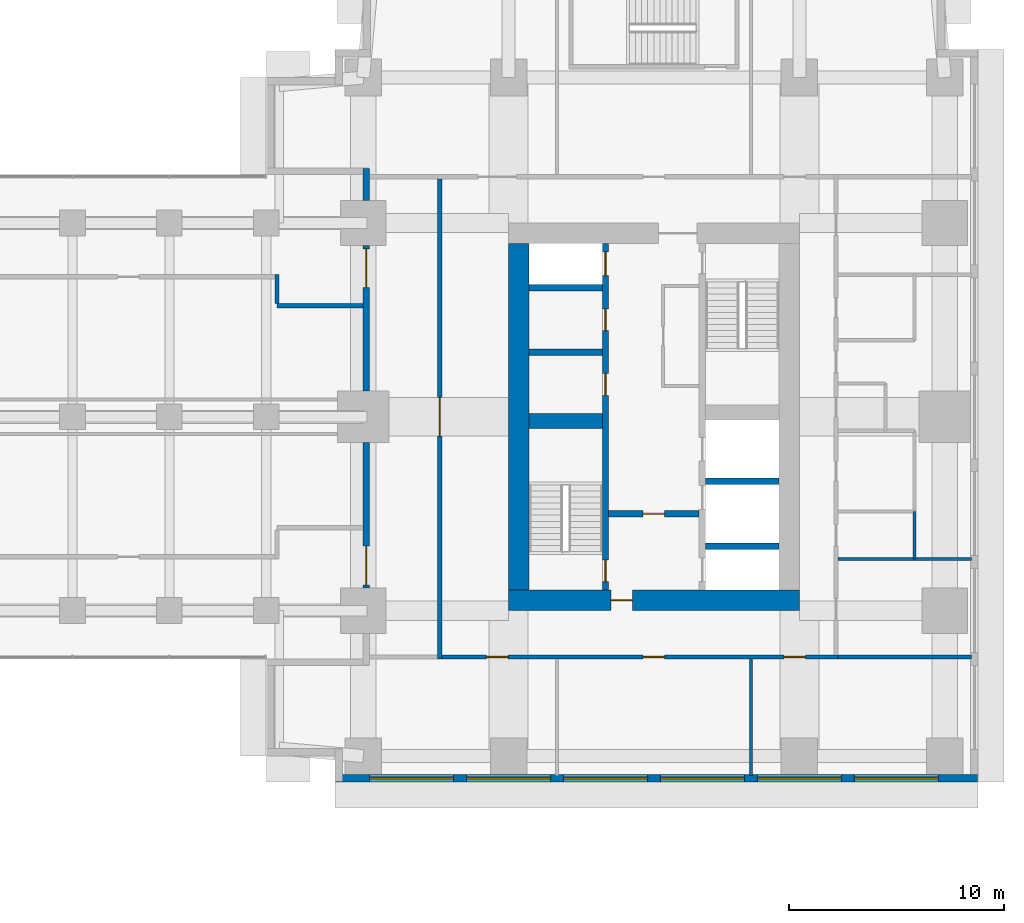
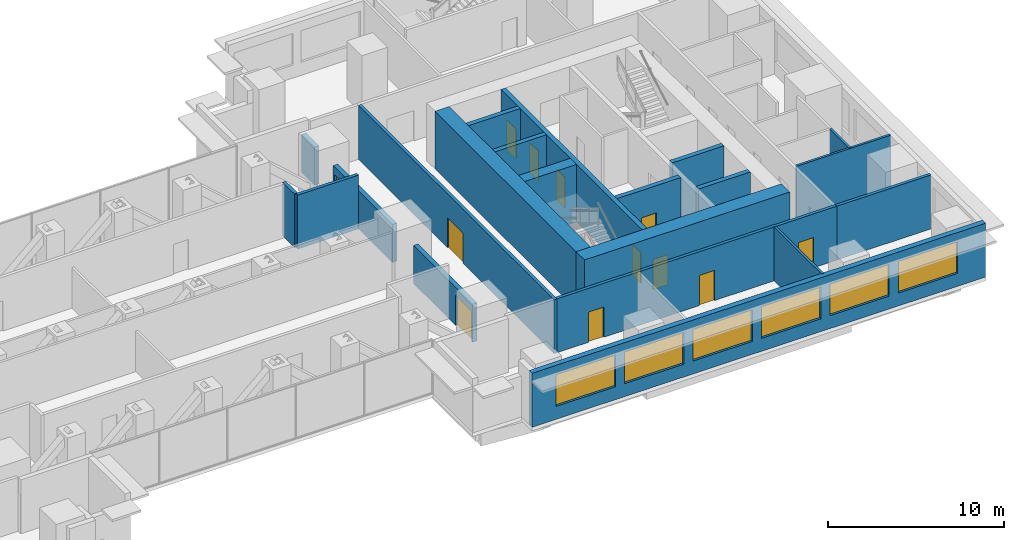
# One storey, part 10 of 16: 21 walls, 12 doors, 6 windows, 18 openings.
"""IFC4 building model written with IfcOpenShell, lengths in metres."""

from ifc_helpers import new_model, si_unit, direction, frame, frame_2d, origin, place, context, subcontext, project, spatial, rectangle, extrude, material, layer, layer_set, type_object, element, fill, save


model = new_model("IFC4")

# Units and contexts
model_context = context("Model", 3, precision=1e-05, world=origin(), true_north=direction((0.0, 1.0)))
body_context = subcontext(model_context, "Body", "Model", "MODEL_VIEW")
ifc_project = project(units=[si_unit("LENGTHUNIT", "METRE"), si_unit("AREAUNIT", "SQUARE_METRE"), si_unit("VOLUMEUNIT", "CUBIC_METRE"), si_unit("PLANEANGLEUNIT", "RADIAN"), si_unit("MASSUNIT", "GRAM", prefix="KILO")], contexts=[model_context])

# Site, building, storey
site_placement = place(None, origin())
site = spatial("IfcSite", under=ifc_project, at=site_placement, CompositionType="ELEMENT")
building_placement = place(site_placement, origin())
building = spatial("IfcBuilding", under=site, at=building_placement, Name="Namib Vertical Campus", CompositionType="ELEMENT")
storey_placement = place(building_placement, frame((0.0, 0.0, 117.0)))
storey = spatial("IfcBuildingStorey", under=building, at=storey_placement, Name="L27", CompositionType="ELEMENT", Elevation=117.0)

# Wall, openings, doors
ifc_material_1 = material(Name="Concrete C60/75", Category="concrete")
ifc_layer_1 = layer(ifc_material_1, 0.300048828125)
ifc_layer_set_1 = layer_set([ifc_layer_1], Name="Concrete C60/75")
wall_type_1 = type_object("IfcWallType", Name="Core inner wall 300", PredefinedType="SHEAR", material=ifc_layer_set_1)
wall_1_placement = place(storey_placement, frame((78.75, 12.199951171875, 0.0), z_axis=(0.0, 0.0, 1.0), x_axis=(0.0, 1.0, 0.0)))
wall_1 = element("IfcWall", 1, at=wall_1_placement, inside=storey, type_object=wall_type_1, Name="Core inner wall B L27 W1", PredefinedType="SHEAR", context=body_context, shape_type="SweptSolid", body=[
    extrude(rectangle(XDim=16.10009765625, YDim=0.300048828125, at=frame_2d((8.050048828125, 0.0))), origin(), (0.0, 0.0, 1.0), 4.0),
])
opening_1_placement = place(wall_1_placement, frame((0.39990234375, 0.0, 0.0)))
opening_1 = element("IfcOpeningElement", 2, at=opening_1_placement, cuts=wall_1, Name="Opening FD1", PredefinedType="OPENING", context=body_context, shape_type="SweptSolid", body=[
    extrude(rectangle(XDim=1.0, YDim=2.10009765625, at=frame_2d((0.5, 1.050048828125))), frame((0.0, 0.159912109375, 0.0), z_axis=(0.0, -1.0, 0.0), x_axis=(1.0, 0.0, 0.0)), (0.0, 0.0, 1.0), 0.320068359375),
])
opening_2_placement = place(wall_1_placement, frame((14.60009765625, 0.0, 0.0)))
opening_2 = element("IfcOpeningElement", 3, at=opening_2_placement, cuts=wall_1, Name="Opening LD1", PredefinedType="OPENING", context=body_context, shape_type="SweptSolid", body=[
    extrude(rectangle(XDim=1.10009765625, YDim=2.10009765625, at=frame_2d((0.550048828125, 1.050048828125))), frame((0.0, 0.159912109375, 0.0), z_axis=(0.0, -1.0, 0.0), x_axis=(1.0, 0.0, 0.0)), (0.0, 0.0, 1.0), 0.320068359375),
])
opening_3_placement = place(wall_1_placement, frame((9.050048828125, 0.0, 0.0)))
opening_3 = element("IfcOpeningElement", 4, at=opening_3_placement, cuts=wall_1, Name="Opening D1", PredefinedType="OPENING", context=body_context, shape_type="SweptSolid", body=[
    extrude(rectangle(XDim=1.0, YDim=2.10009765625, at=frame_2d((0.5, 1.050048828125))), frame((0.0, 0.159912109375, 0.0), z_axis=(0.0, -1.0, 0.0), x_axis=(1.0, 0.0, 0.0)), (0.0, 0.0, 1.0), 0.320068359375),
])
opening_4_placement = place(wall_1_placement, frame((12.050048828125, 0.0, 0.0)))
opening_4 = element("IfcOpeningElement", 5, at=opening_4_placement, cuts=wall_1, Name="Opening D1", PredefinedType="OPENING", context=body_context, shape_type="SweptSolid", body=[
    extrude(rectangle(XDim=1.0, YDim=2.10009765625, at=frame_2d((0.5, 1.050048828125))), frame((0.0, 0.159912109375, 0.0), z_axis=(0.0, -1.0, 0.0), x_axis=(1.0, 0.0, 0.0)), (0.0, 0.0, 1.0), 0.320068359375),
])
ifc_material_2 = material(Name="Timber door leaf", Category="wood")
door_type_1 = type_object("IfcDoorType", Name="Door single 1000x2100", OperationType="SINGLE_SWING_LEFT", PredefinedType="DOOR", material=ifc_material_2)
door_1_placement = place(opening_3_placement, origin())
door_1 = element("IfcDoor", 6, at=door_1_placement, inside=storey, type_object=door_type_1, Name="Door D1 Store B L27 P1", OperationType="SINGLE_SWING_LEFT", OverallHeight=2.10009765625, OverallWidth=1.0, PredefinedType="DOOR", context=body_context, shape_type="SweptSolid", body=[
    extrude(rectangle(XDim=1.0, YDim=2.10009765625, at=frame_2d((0.5, 1.050048828125))), frame((0.0, 0.02490234375, 0.0), z_axis=(0.0, -1.0, 0.0), x_axis=(1.0, 0.0, 0.0)), (0.0, 0.0, 1.0), 0.050048828125),
])
fill(opening_3, door_1)
door_2_placement = place(opening_4_placement, origin())
door_2 = element("IfcDoor", 7, at=door_2_placement, inside=storey, type_object=door_type_1, Name="Door D1 Comms room B L27 P2", OperationType="SINGLE_SWING_LEFT", OverallHeight=2.10009765625, OverallWidth=1.0, PredefinedType="DOOR", context=body_context, shape_type="SweptSolid", body=[
    extrude(rectangle(XDim=1.0, YDim=2.10009765625, at=frame_2d((0.5, 1.050048828125))), frame((0.0, 0.02490234375, 0.0), z_axis=(0.0, -1.0, 0.0), x_axis=(1.0, 0.0, 0.0)), (0.0, 0.0, 1.0), 0.050048828125),
])
fill(opening_4, door_2)
ifc_material_3 = material(Name="Steel fire door", Category="steel")
door_type_2 = type_object("IfcDoorType", Name="Fire door 1000x2100", OperationType="SINGLE_SWING_RIGHT", PredefinedType="DOOR", material=ifc_material_3)
door_3_placement = place(opening_1_placement, origin())
door_3 = element("IfcDoor", 8, at=door_3_placement, inside=storey, type_object=door_type_2, Name="Stair door FD1 B L27 S1", OperationType="SINGLE_SWING_LEFT", OverallHeight=2.10009765625, OverallWidth=1.0, PredefinedType="DOOR", context=body_context, shape_type="SweptSolid", body=[
    extrude(rectangle(XDim=1.0, YDim=2.10009765625, at=frame_2d((0.5, 1.050048828125))), frame((0.0, 0.02490234375, 0.0), z_axis=(0.0, -1.0, 0.0), x_axis=(1.0, 0.0, 0.0)), (0.0, 0.0, 1.0), 0.050048828125),
])
fill(opening_1, door_3)
ifc_material_4 = material(Name="Stainless steel lift door", Category="steel")
door_type_3 = type_object("IfcDoorType", Name="Lift landing door 1100x2100", OperationType="DOUBLE_DOOR_SLIDING", PredefinedType="DOOR", material=ifc_material_4)
door_4_placement = place(opening_2_placement, origin())
door_4 = element("IfcDoor", 9, at=door_4_placement, inside=storey, type_object=door_type_3, Name="Lift landing door LD1 B-P3 L27", OperationType="DOUBLE_DOOR_SLIDING", OverallHeight=2.10009765625, OverallWidth=1.10009765625, PredefinedType="DOOR", context=body_context, shape_type="SweptSolid", body=[
    extrude(rectangle(XDim=1.10009765625, YDim=2.10009765625, at=frame_2d((0.550048828125, 1.050048828125))), frame((0.0, 0.02490234375, 0.0), z_axis=(0.0, -1.0, 0.0), x_axis=(1.0, 0.0, 0.0)), (0.0, 0.0, 1.0), 0.050048828125),
])
fill(opening_2, door_4)

# Wall, opening, door
wall_2_placement = place(storey_placement, frame((78.89990234375, 15.75, 0.0), z_axis=(0.0, 0.0, 1.0), x_axis=(1.0, 0.0, 0.0)))
wall_2 = element("IfcWall", 10, at=wall_2_placement, inside=storey, type_object=wall_type_1, Name="Core inner wall B L27 W4", PredefinedType="SHEAR", context=body_context, shape_type="SweptSolid", body=[
    extrude(rectangle(XDim=4.2001953125, YDim=0.300048828125, at=frame_2d((2.10009765625, 0.0))), origin(), (0.0, 0.0, 1.0), 4.0),
])
opening_5_placement = place(wall_2_placement, frame((1.60009765625, 0.0, 0.0)))
opening_5 = element("IfcOpeningElement", 11, at=opening_5_placement, cuts=wall_2, Name="Opening FD5", PredefinedType="OPENING", context=body_context, shape_type="SweptSolid", body=[
    extrude(rectangle(XDim=1.0, YDim=2.10009765625, at=frame_2d((0.5, 1.050048828125))), frame((0.0, 0.159912109375, 0.0), z_axis=(0.0, -1.0, 0.0), x_axis=(1.0, 0.0, 0.0)), (0.0, 0.0, 1.0), 0.320068359375),
])
ifc_material_5 = material(Name="Steel fire door", Category="steel")
door_type_4 = type_object("IfcDoorType", Name="Fire door 1000x2100 120 min", OperationType="SINGLE_SWING_RIGHT", PredefinedType="DOOR", material=ifc_material_5)
door_5_placement = place(opening_5_placement, frame((1.0, 0.0, 0.0), z_axis=(0.0, 0.0, 1.0), x_axis=(-1.0, 0.0, 0.0)))
door_5 = element("IfcDoor", 12, at=door_5_placement, inside=storey, type_object=door_type_4, Name="Lobby door FD5 B L27", OperationType="SINGLE_SWING_RIGHT", OverallHeight=2.10009765625, OverallWidth=1.0, PredefinedType="DOOR", context=body_context, shape_type="SweptSolid", body=[
    extrude(rectangle(XDim=1.0, YDim=2.10009765625, at=frame_2d((0.5, 1.050048828125))), frame((0.0, 0.02490234375, 0.0), z_axis=(0.0, -1.0, 0.0), x_axis=(1.0, 0.0, 0.0)), (0.0, 0.0, 1.0), 0.050048828125),
])
fill(opening_5, door_5)

# Walls
for number, where, z_axis, x_axis, name in (
    (13, (83.39990234375, 14.25, 0.0), (0.0, 0.0, 1.0), (1.0, 0.0, 0.0), "Core inner wall B L27 W5"),
    (14, (83.39990234375, 17.25, 0.0), (0.0, 0.0, 1.0), (1.0, 0.0, 0.0), "Core inner wall B L27 W6"),
    (15, (75.199951171875, 23.25, 0.0), (0.0, 0.0, 1.0), (1.0, 0.0, 0.0), "Core inner wall B L27 W8"),
    (16, (75.199951171875, 26.25, 0.0), (0.0, 0.0, 1.0), (1.0, 0.0, 0.0), "Core inner wall B L27 W9"),
):
    element("IfcWall", number, at=place(storey_placement, frame(where, z_axis=z_axis, x_axis=x_axis)), inside=storey, type_object=wall_type_1, Name=name, PredefinedType="SHEAR", context=body_context, shape_type="SweptSolid", body=[
        extrude(rectangle(XDim=3.400146484375, YDim=0.300048828125, at=frame_2d((1.7001953125, 0.0))), origin(), (0.0, 0.0, 1.0), 4.0),
    ])
ifc_material_6 = material(Name="Concrete C60/75", Category="concrete")
ifc_layer_2 = layer(ifc_material_6, 0.699951171875)
ifc_layer_set_2 = layer_set([ifc_layer_2], Name="Concrete C60/75")
wall_type_2 = type_object("IfcWallType", Name="Core shear wall 700", PredefinedType="SHEAR", material=ifc_layer_set_2)
wall_3_placement = place(storey_placement, frame((75.199951171875, 20.050048828125, 0.0), z_axis=(0.0, 0.0, 1.0), x_axis=(1.0, 0.0, 0.0)))
element("IfcWall", 17, at=wall_3_placement, inside=storey, type_object=wall_type_2, Name="Core shear wall B L27 W3", PredefinedType="SHEAR", context=body_context, shape_type="SweptSolid", body=[
    extrude(rectangle(XDim=3.400146484375, YDim=0.699951171875, at=frame_2d((1.7001953125, 0.0))), origin(), (0.0, 0.0, 1.0), 4.0),
])

# Wall, opening, door
ifc_material_7 = material(Name="Concrete C60/75", Category="concrete")
ifc_layer_3 = layer(ifc_material_7, 0.949951171875)
ifc_layer_set_3 = layer_set([ifc_layer_3], Name="Concrete C60/75")
wall_type_3 = type_object("IfcWallType", Name="Core wall 950", PredefinedType="SHEAR", material=ifc_layer_set_3)
wall_4_placement = place(storey_placement, frame((74.25, 11.72509765625, 0.0), z_axis=(0.0, 0.0, 1.0), x_axis=(1.0, 0.0, 0.0)))
wall_4 = element("IfcWall", 18, at=wall_4_placement, inside=storey, type_object=wall_type_3, Name="Core wall B L27 1", PredefinedType="SHEAR", context=body_context, shape_type="SweptSolid", body=[
    extrude(rectangle(XDim=13.5, YDim=0.949951171875, at=frame_2d((6.75, 0.0))), origin(), (0.0, 0.0, 1.0), 4.0),
])
opening_6_placement = place(wall_4_placement, frame((4.75, 0.0, 0.0)))
opening_6 = element("IfcOpeningElement", 19, at=opening_6_placement, cuts=wall_4, Name="Opening FD5", PredefinedType="OPENING", context=body_context, shape_type="SweptSolid", body=[
    extrude(rectangle(XDim=1.0, YDim=2.10009765625, at=frame_2d((0.5, 1.050048828125))), frame((0.0, 0.48486328125, 0.0), z_axis=(0.0, -1.0, 0.0), x_axis=(1.0, 0.0, 0.0)), (0.0, 0.0, 1.0), 0.969970703125),
])
door_6_placement = place(opening_6_placement, origin())
door_6 = element("IfcDoor", 20, at=door_6_placement, inside=storey, type_object=door_type_4, Name="Firefighting lobby door FD5 B L27", OperationType="SINGLE_SWING_LEFT", OverallHeight=2.10009765625, OverallWidth=1.0, PredefinedType="DOOR", context=body_context, shape_type="SweptSolid", body=[
    extrude(rectangle(XDim=1.0, YDim=2.10009765625, at=frame_2d((0.5, 1.050048828125))), frame((0.0, 0.02490234375, 0.0), z_axis=(0.0, -1.0, 0.0), x_axis=(1.0, 0.0, 0.0)), (0.0, 0.0, 1.0), 0.050048828125),
])
fill(opening_6, door_6)

# Wall
wall_5_placement = place(storey_placement, frame((74.72509765625, 28.300048828125, 0.0), z_axis=(0.0, 0.0, 1.0), x_axis=(0.0, -1.0, 0.0)))
element("IfcWall", 21, at=wall_5_placement, inside=storey, type_object=wall_type_3, Name="Core wall B L27 4", PredefinedType="SHEAR", context=body_context, shape_type="SweptSolid", body=[
    extrude(rectangle(XDim=16.10009765625, YDim=0.949951171875, at=frame_2d((8.050048828125, 0.0))), origin(), (0.0, 0.0, 1.0), 4.0),
])

# Wall, openings, doors
ifc_material_8 = material(Name="Concrete masonry", Category="masonry")
ifc_layer_4 = layer(ifc_material_8, 0.199951171875)
ifc_layer_set_4 = layer_set([ifc_layer_4], Name="Corridor wall 200")
wall_type_4 = type_object("IfcWallType", Name="Corridor wall 200", PredefinedType="SOLIDWALL", material=ifc_layer_set_4)
wall_6_placement = place(storey_placement, frame((71.14990234375, 9.10009765625, 0.0), z_axis=(0.0, 0.0, 1.0), x_axis=(1.0, 0.0, 0.0)))
wall_6 = element("IfcWall", 22, at=wall_6_placement, inside=storey, type_object=wall_type_4, Name="Corridor wall B L27 CS", PredefinedType="SOLIDWALL", context=body_context, shape_type="SweptSolid", body=[
    extrude(rectangle(XDim=18.400146484375, YDim=0.199951171875, at=frame_2d((9.2001953125, 0.0))), origin(), (0.0, 0.0, 1.0), 3.75),
])
opening_7_placement = place(wall_6_placement, frame((2.074951171875, 0.0, 0.0)))
opening_7 = element("IfcOpeningElement", 23, at=opening_7_placement, cuts=wall_6, Name="Opening CD1", PredefinedType="OPENING", context=body_context, shape_type="SweptSolid", body=[
    extrude(rectangle(XDim=1.0, YDim=2.10009765625, at=frame_2d((0.5, 1.050048828125))), frame((0.0, 0.10986328125, 0.0), z_axis=(0.0, -1.0, 0.0), x_axis=(1.0, 0.0, 0.0)), (0.0, 0.0, 1.0), 0.219970703125),
])
opening_8_placement = place(wall_6_placement, frame((9.35009765625, 0.0, 0.0)))
opening_8 = element("IfcOpeningElement", 24, at=opening_8_placement, cuts=wall_6, Name="Opening CD1", PredefinedType="OPENING", context=body_context, shape_type="SweptSolid", body=[
    extrude(rectangle(XDim=1.0, YDim=2.10009765625, at=frame_2d((0.5, 1.050048828125))), frame((0.0, 0.10986328125, 0.0), z_axis=(0.0, -1.0, 0.0), x_axis=(1.0, 0.0, 0.0)), (0.0, 0.0, 1.0), 0.219970703125),
])
opening_9_placement = place(wall_6_placement, frame((15.875, 0.0, 0.0)))
opening_9 = element("IfcOpeningElement", 25, at=opening_9_placement, cuts=wall_6, Name="Opening CD1", PredefinedType="OPENING", context=body_context, shape_type="SweptSolid", body=[
    extrude(rectangle(XDim=1.0, YDim=2.10009765625, at=frame_2d((0.5, 1.050048828125))), frame((0.0, 0.10986328125, 0.0), z_axis=(0.0, -1.0, 0.0), x_axis=(1.0, 0.0, 0.0)), (0.0, 0.0, 1.0), 0.219970703125),
])
ifc_material_9 = material(Name="Timber fire door leaf", Category="wood")
door_type_5 = type_object("IfcDoorType", Name="Corridor door 1000x2100 20 min", OperationType="SINGLE_SWING_LEFT", PredefinedType="DOOR", material=ifc_material_9)
door_7_placement = place(opening_7_placement, frame((1.0, 0.0, 0.0), z_axis=(0.0, 0.0, 1.0), x_axis=(-1.0, 0.0, 0.0)))
door_7 = element("IfcDoor", 26, at=door_7_placement, inside=storey, type_object=door_type_5, Name="Door CD1 B27-01", OperationType="SINGLE_SWING_LEFT", OverallHeight=2.10009765625, OverallWidth=1.0, PredefinedType="DOOR", context=body_context, shape_type="SweptSolid", body=[
    extrude(rectangle(XDim=1.0, YDim=2.10009765625, at=frame_2d((0.5, 1.050048828125))), frame((0.0, 0.02490234375, 0.0), z_axis=(0.0, -1.0, 0.0), x_axis=(1.0, 0.0, 0.0)), (0.0, 0.0, 1.0), 0.050048828125),
])
fill(opening_7, door_7)
door_8_placement = place(opening_8_placement, frame((1.0, 0.0, 0.0), z_axis=(0.0, 0.0, 1.0), x_axis=(-1.0, 0.0, 0.0)))
door_8 = element("IfcDoor", 27, at=door_8_placement, inside=storey, type_object=door_type_5, Name="Door CD1 B27-02", OperationType="SINGLE_SWING_RIGHT", OverallHeight=2.10009765625, OverallWidth=1.0, PredefinedType="DOOR", context=body_context, shape_type="SweptSolid", body=[
    extrude(rectangle(XDim=1.0, YDim=2.10009765625, at=frame_2d((0.5, 1.050048828125))), frame((0.0, 0.02490234375, 0.0), z_axis=(0.0, -1.0, 0.0), x_axis=(1.0, 0.0, 0.0)), (0.0, 0.0, 1.0), 0.050048828125),
])
fill(opening_8, door_8)
door_9_placement = place(opening_9_placement, frame((1.0, 0.0, 0.0), z_axis=(0.0, 0.0, 1.0), x_axis=(-1.0, 0.0, 0.0)))
door_9 = element("IfcDoor", 28, at=door_9_placement, inside=storey, type_object=door_type_5, Name="Door CD1 B27-03", OperationType="SINGLE_SWING_RIGHT", OverallHeight=2.10009765625, OverallWidth=1.0, PredefinedType="DOOR", context=body_context, shape_type="SweptSolid", body=[
    extrude(rectangle(XDim=1.0, YDim=2.10009765625, at=frame_2d((0.5, 1.050048828125))), frame((0.0, 0.02490234375, 0.0), z_axis=(0.0, -1.0, 0.0), x_axis=(1.0, 0.0, 0.0)), (0.0, 0.0, 1.0), 0.050048828125),
])
fill(opening_9, door_9)

# Wall, opening, door
wall_7_placement = place(storey_placement, frame((71.050048828125, 31.300048828125, 0.0), z_axis=(0.0, 0.0, 1.0), x_axis=(0.0, -1.0, 0.0)))
wall_7 = element("IfcWall", 29, at=wall_7_placement, inside=storey, type_object=wall_type_4, Name="Corridor wall B L27 CW", PredefinedType="SOLIDWALL", context=body_context, shape_type="SweptSolid", body=[
    extrude(rectangle(XDim=22.300048828125, YDim=0.199951171875, at=frame_2d((11.14990234375, 0.0))), origin(), (0.0, 0.0, 1.0), 3.75),
])
opening_10_placement = place(wall_7_placement, frame((10.14990234375, 0.0, 0.0)))
opening_10 = element("IfcOpeningElement", 30, at=opening_10_placement, cuts=wall_7, Name="Opening FD2", PredefinedType="OPENING", context=body_context, shape_type="SweptSolid", body=[
    extrude(rectangle(XDim=1.800048828125, YDim=2.10009765625, at=frame_2d((0.89990234375, 1.050048828125))), frame((0.0, 0.10986328125, 0.0), z_axis=(0.0, -1.0, 0.0), x_axis=(1.0, 0.0, 0.0)), (0.0, 0.0, 1.0), 0.219970703125),
])
ifc_material_10 = material(Name="Steel fire door", Category="steel")
door_type_6 = type_object("IfcDoorType", Name="Fire door double 1800x2100", OperationType="DOUBLE_DOOR_SINGLE_SWING", PredefinedType="DOOR", material=ifc_material_10)
door_10_placement = place(opening_10_placement, origin())
door_10 = element("IfcDoor", 31, at=door_10_placement, inside=storey, type_object=door_type_6, Name="Door FD2 B27-14", OperationType="DOUBLE_DOOR_SINGLE_SWING", OverallHeight=2.10009765625, OverallWidth=1.800048828125, PredefinedType="DOOR", context=body_context, shape_type="SweptSolid", body=[
    extrude(rectangle(XDim=1.800048828125, YDim=2.10009765625, at=frame_2d((0.89990234375, 1.050048828125))), frame((0.0, 0.02490234375, 0.0), z_axis=(0.0, -1.0, 0.0), x_axis=(1.0, 0.0, 0.0)), (0.0, 0.0, 1.0), 0.050048828125),
])
fill(opening_10, door_10)

# Walls
wall_8_placement = place(storey_placement, frame((89.550048828125, 9.10009765625, 0.0), z_axis=(0.0, 0.0, 1.0), x_axis=(1.0, 0.0, 0.0)))
element("IfcWall", 32, at=wall_8_placement, inside=storey, type_object=wall_type_4, Name="Partition B L27 BSE", PredefinedType="SOLIDWALL", context=body_context, shape_type="SweptSolid", body=[
    extrude(rectangle(XDim=6.199951171875, YDim=0.199951171875, at=frame_2d((3.10009765625, 0.0))), origin(), (0.0, 0.0, 1.0), 3.75),
])
wall_9_placement = place(storey_placement, frame((63.5, 25.39990234375, 0.0), z_axis=(0.0, 0.0, 1.0), x_axis=(1.0, 0.0, 0.0)))
element("IfcWall", 33, at=wall_9_placement, inside=storey, type_object=wall_type_4, Name="Lobby wall L27 NE", PredefinedType="SOLIDWALL", context=body_context, shape_type="SweptSolid", body=[
    extrude(rectangle(XDim=4.0, YDim=0.199951171875, at=frame_2d((2.0, 0.0))), origin(), (0.0, 0.0, 1.0), 3.75),
])
wall_10_placement = place(storey_placement, frame((63.5, 26.85009765625, 0.0), z_axis=(0.0, 0.0, 1.0), x_axis=(0.0, -1.0, 0.0)))
element("IfcWall", 34, at=wall_10_placement, inside=storey, type_object=wall_type_4, Name="Lobby side wall L27 NE", PredefinedType="SOLIDWALL", context=body_context, shape_type="SweptSolid", body=[
    extrude(rectangle(XDim=1.35009765625, YDim=0.199951171875, at=frame_2d((0.675048828125, 0.0))), origin(), (0.0, 0.0, 1.0), 3.75),
])

# Wall, openings, windows
ifc_material_11 = material(Name="Concrete C40/50", Category="concrete")
ifc_layer_5 = layer(ifc_material_11, 0.35009765625)
ifc_layer_set_5 = layer_set([ifc_layer_5], Name="Concrete C40/50")
wall_type_5 = type_object("IfcWallType", Name="External wall 350 bush-hammered concrete", PredefinedType="STANDARD", material=ifc_layer_set_5)
wall_11_placement = place(storey_placement, frame((66.219970703125, 3.47509765625, 0.0), z_axis=(0.0, 0.0, 1.0), x_axis=(1.0, 0.0, 0.0)))
wall_11 = element("IfcWall", 35, at=wall_11_placement, inside=storey, type_object=wall_type_5, Name="External wall L27 F04", PredefinedType="STANDARD", context=body_context, shape_type="SweptSolid", body=[
    extrude(rectangle(XDim=29.81005859375, YDim=0.35009765625, at=frame_2d((14.905029296875, 0.0))), origin(), (0.0, 0.0, 1.0), 3.75),
])
opening_11_placement = place(wall_11_placement, frame((1.580078125, 0.0, 0.89990234375)))
opening_11 = element("IfcOpeningElement", 36, at=opening_11_placement, cuts=wall_11, Name="Opening W1", PredefinedType="OPENING", context=body_context, shape_type="SweptSolid", body=[
    extrude(rectangle(XDim=3.89990234375, YDim=2.199951171875, at=frame_2d((1.949951171875, 1.10009765625))), frame((0.0, 0.18505859375, 0.0), z_axis=(0.0, -1.0, 0.0), x_axis=(1.0, 0.0, 0.0)), (0.0, 0.0, 1.0), 0.3701171875),
])
opening_12_placement = place(wall_11_placement, frame((6.080078125, 0.0, 0.89990234375)))
opening_12 = element("IfcOpeningElement", 37, at=opening_12_placement, cuts=wall_11, Name="Opening W1", PredefinedType="OPENING", context=body_context, shape_type="SweptSolid", body=[
    extrude(rectangle(XDim=3.89990234375, YDim=2.199951171875, at=frame_2d((1.949951171875, 1.10009765625))), frame((0.0, 0.18505859375, 0.0), z_axis=(0.0, -1.0, 0.0), x_axis=(1.0, 0.0, 0.0)), (0.0, 0.0, 1.0), 0.3701171875),
])
opening_13_placement = place(wall_11_placement, frame((10.580078125, 0.0, 0.89990234375)))
opening_13 = element("IfcOpeningElement", 38, at=opening_13_placement, cuts=wall_11, Name="Opening W1", PredefinedType="OPENING", context=body_context, shape_type="SweptSolid", body=[
    extrude(rectangle(XDim=3.89990234375, YDim=2.199951171875, at=frame_2d((1.949951171875, 1.10009765625))), frame((0.0, 0.18505859375, 0.0), z_axis=(0.0, -1.0, 0.0), x_axis=(1.0, 0.0, 0.0)), (0.0, 0.0, 1.0), 0.3701171875),
])
opening_14_placement = place(wall_11_placement, frame((15.080078125, 0.0, 0.89990234375)))
opening_14 = element("IfcOpeningElement", 39, at=opening_14_placement, cuts=wall_11, Name="Opening W1", PredefinedType="OPENING", context=body_context, shape_type="SweptSolid", body=[
    extrude(rectangle(XDim=3.89990234375, YDim=2.199951171875, at=frame_2d((1.949951171875, 1.10009765625))), frame((0.0, 0.18505859375, 0.0), z_axis=(0.0, -1.0, 0.0), x_axis=(1.0, 0.0, 0.0)), (0.0, 0.0, 1.0), 0.3701171875),
])
opening_15_placement = place(wall_11_placement, frame((19.580078125, 0.0, 0.89990234375)))
opening_15 = element("IfcOpeningElement", 40, at=opening_15_placement, cuts=wall_11, Name="Opening W1", PredefinedType="OPENING", context=body_context, shape_type="SweptSolid", body=[
    extrude(rectangle(XDim=3.89990234375, YDim=2.199951171875, at=frame_2d((1.949951171875, 1.10009765625))), frame((0.0, 0.18505859375, 0.0), z_axis=(0.0, -1.0, 0.0), x_axis=(1.0, 0.0, 0.0)), (0.0, 0.0, 1.0), 0.3701171875),
])
opening_16_placement = place(wall_11_placement, frame((24.080078125, 0.0, 0.89990234375)))
opening_16 = element("IfcOpeningElement", 41, at=opening_16_placement, cuts=wall_11, Name="Opening W1", PredefinedType="OPENING", context=body_context, shape_type="SweptSolid", body=[
    extrude(rectangle(XDim=3.89990234375, YDim=2.199951171875, at=frame_2d((1.949951171875, 1.10009765625))), frame((0.0, 0.18505859375, 0.0), z_axis=(0.0, -1.0, 0.0), x_axis=(1.0, 0.0, 0.0)), (0.0, 0.0, 1.0), 0.3701171875),
])
ifc_material_12 = material(Name="Dark tinted glass in black aluminium frame", Category="aluminium")
window_type = type_object("IfcWindowType", Name="Ribbon window 3900x2200", PartitioningType="SINGLE_PANEL", PredefinedType="WINDOW", material=ifc_material_12)
window_1_placement = place(opening_11_placement, origin())
window_1 = element("IfcWindow", 42, at=window_1_placement, inside=storey, type_object=window_type, Name="Window W1 L27 F04-1", OverallHeight=2.199951171875, OverallWidth=3.89990234375, PartitioningType="SINGLE_PANEL", PredefinedType="WINDOW", context=body_context, shape_type="SweptSolid", body=[
    extrude(rectangle(XDim=3.89990234375, YDim=2.199951171875, at=frame_2d((1.949951171875, 1.10009765625))), frame((0.0, 0.030029296875, 0.0), z_axis=(0.0, -1.0, 0.0), x_axis=(1.0, 0.0, 0.0)), (0.0, 0.0, 1.0), 0.06005859375),
])
fill(opening_11, window_1)
window_2_placement = place(opening_12_placement, origin())
window_2 = element("IfcWindow", 43, at=window_2_placement, inside=storey, type_object=window_type, Name="Window W1 L27 F04-2", OverallHeight=2.199951171875, OverallWidth=3.89990234375, PartitioningType="SINGLE_PANEL", PredefinedType="WINDOW", context=body_context, shape_type="SweptSolid", body=[
    extrude(rectangle(XDim=3.89990234375, YDim=2.199951171875, at=frame_2d((1.949951171875, 1.10009765625))), frame((0.0, 0.030029296875, 0.0), z_axis=(0.0, -1.0, 0.0), x_axis=(1.0, 0.0, 0.0)), (0.0, 0.0, 1.0), 0.06005859375),
])
fill(opening_12, window_2)
window_3_placement = place(opening_13_placement, origin())
window_3 = element("IfcWindow", 44, at=window_3_placement, inside=storey, type_object=window_type, Name="Window W1 L27 F04-3", OverallHeight=2.199951171875, OverallWidth=3.89990234375, PartitioningType="SINGLE_PANEL", PredefinedType="WINDOW", context=body_context, shape_type="SweptSolid", body=[
    extrude(rectangle(XDim=3.89990234375, YDim=2.199951171875, at=frame_2d((1.949951171875, 1.10009765625))), frame((0.0, 0.030029296875, 0.0), z_axis=(0.0, -1.0, 0.0), x_axis=(1.0, 0.0, 0.0)), (0.0, 0.0, 1.0), 0.06005859375),
])
fill(opening_13, window_3)
window_4_placement = place(opening_14_placement, origin())
window_4 = element("IfcWindow", 45, at=window_4_placement, inside=storey, type_object=window_type, Name="Window W1 L27 F04-4", OverallHeight=2.199951171875, OverallWidth=3.89990234375, PartitioningType="SINGLE_PANEL", PredefinedType="WINDOW", context=body_context, shape_type="SweptSolid", body=[
    extrude(rectangle(XDim=3.89990234375, YDim=2.199951171875, at=frame_2d((1.949951171875, 1.10009765625))), frame((0.0, 0.030029296875, 0.0), z_axis=(0.0, -1.0, 0.0), x_axis=(1.0, 0.0, 0.0)), (0.0, 0.0, 1.0), 0.06005859375),
])
fill(opening_14, window_4)
window_5_placement = place(opening_15_placement, origin())
window_5 = element("IfcWindow", 46, at=window_5_placement, inside=storey, type_object=window_type, Name="Window W1 L27 F04-5", OverallHeight=2.199951171875, OverallWidth=3.89990234375, PartitioningType="SINGLE_PANEL", PredefinedType="WINDOW", context=body_context, shape_type="SweptSolid", body=[
    extrude(rectangle(XDim=3.89990234375, YDim=2.199951171875, at=frame_2d((1.949951171875, 1.10009765625))), frame((0.0, 0.030029296875, 0.0), z_axis=(0.0, -1.0, 0.0), x_axis=(1.0, 0.0, 0.0)), (0.0, 0.0, 1.0), 0.06005859375),
])
fill(opening_15, window_5)
window_6_placement = place(opening_16_placement, origin())
window_6 = element("IfcWindow", 47, at=window_6_placement, inside=storey, type_object=window_type, Name="Window W1 L27 F04-6", OverallHeight=2.199951171875, OverallWidth=3.89990234375, PartitioningType="SINGLE_PANEL", PredefinedType="WINDOW", context=body_context, shape_type="SweptSolid", body=[
    extrude(rectangle(XDim=3.89990234375, YDim=2.199951171875, at=frame_2d((1.949951171875, 1.10009765625))), frame((0.0, 0.030029296875, 0.0), z_axis=(0.0, -1.0, 0.0), x_axis=(1.0, 0.0, 0.0)), (0.0, 0.0, 1.0), 0.06005859375),
])
fill(opening_16, window_6)

# Wall
ifc_material_13 = material(Name="Concrete masonry", Category="masonry")
ifc_layer_6 = layer(ifc_material_13, 0.300048828125)
ifc_layer_set_6 = layer_set([ifc_layer_6], Name="Fire wall 300")
wall_type_6 = type_object("IfcWallType", Name="Fire wall 300", PredefinedType="SOLIDWALL", material=ifc_layer_set_6)
wall_12_placement = place(storey_placement, frame((67.64990234375, 31.780029296875, 0.0), z_axis=(0.0, 0.0, 1.0), x_axis=(0.0, -1.0, 0.0)))
element("IfcWall", 48, at=wall_12_placement, inside=storey, type_object=wall_type_6, Name="External wall L27 F15", PredefinedType="SOLIDWALL", context=body_context, shape_type="SweptSolid", body=[
    extrude(rectangle(XDim=1.47998046875, YDim=0.300048828125, at=frame_2d((0.739990234375, 0.0))), origin(), (0.0, 0.0, 1.0), 2.64990234375),
])

# Wall, opening, door
wall_13_placement = place(storey_placement, frame((67.64990234375, 28.199951171875, 0.0), z_axis=(0.0, 0.0, 1.0), x_axis=(0.0, -1.0, 0.0)))
wall_13 = element("IfcWall", 49, at=wall_13_placement, inside=storey, type_object=wall_type_6, Name="External wall L27 F15", PredefinedType="SOLIDWALL", context=body_context, shape_type="SweptSolid", body=[
    extrude(rectangle(XDim=6.75, YDim=0.300048828125, at=frame_2d((3.375, 0.0))), origin(), (0.0, 0.0, 1.0), 2.64990234375),
])
opening_17_placement = place(wall_13_placement, frame((0.14990234375, 0.0, 0.0)))
opening_17 = element("IfcOpeningElement", 50, at=opening_17_placement, cuts=wall_13, Name="Opening FD4", PredefinedType="OPENING", context=body_context, shape_type="SweptSolid", body=[
    extrude(rectangle(XDim=1.800048828125, YDim=2.10009765625, at=frame_2d((0.89990234375, 1.050048828125))), frame((0.0, 0.159912109375, 0.0), z_axis=(0.0, -1.0, 0.0), x_axis=(1.0, 0.0, 0.0)), (0.0, 0.0, 1.0), 0.320068359375),
])
ifc_material_14 = material(Name="Steel fire door", Category="steel")
door_type_7 = type_object("IfcDoorType", Name="Fire door double 1800x2100 120 min", OperationType="DOUBLE_DOOR_SINGLE_SWING", PredefinedType="DOOR", material=ifc_material_14)
door_11_placement = place(opening_17_placement, origin())
door_11 = element("IfcDoor", 51, at=door_11_placement, inside=storey, type_object=door_type_7, Name="Bridge fire door FD4 B L27 north", OperationType="DOUBLE_DOOR_SINGLE_SWING", OverallHeight=2.10009765625, OverallWidth=1.800048828125, PredefinedType="DOOR", context=body_context, shape_type="SweptSolid", body=[
    extrude(rectangle(XDim=1.800048828125, YDim=2.10009765625, at=frame_2d((0.89990234375, 1.050048828125))), frame((0.0, 0.02490234375, 0.0), z_axis=(0.0, -1.0, 0.0), x_axis=(1.0, 0.0, 0.0)), (0.0, 0.0, 1.0), 0.050048828125),
])
fill(opening_17, door_11)

wall_14_placement = place(storey_placement, frame((67.64990234375, 19.050048828125, 0.0), z_axis=(0.0, 0.0, 1.0), x_axis=(0.0, -1.0, 0.0)))
wall_14 = element("IfcWall", 52, at=wall_14_placement, inside=storey, type_object=wall_type_6, Name="External wall L27 F15", PredefinedType="SOLIDWALL", context=body_context, shape_type="SweptSolid", body=[
    extrude(rectangle(XDim=6.75, YDim=0.300048828125, at=frame_2d((3.375, 0.0))), origin(), (0.0, 0.0, 1.0), 2.64990234375),
])
opening_18_placement = place(wall_14_placement, frame((4.800048828125, 0.0, 0.0)))
opening_18 = element("IfcOpeningElement", 53, at=opening_18_placement, cuts=wall_14, Name="Opening FD4", PredefinedType="OPENING", context=body_context, shape_type="SweptSolid", body=[
    extrude(rectangle(XDim=1.800048828125, YDim=2.10009765625, at=frame_2d((0.89990234375, 1.050048828125))), frame((0.0, 0.159912109375, 0.0), z_axis=(0.0, -1.0, 0.0), x_axis=(1.0, 0.0, 0.0)), (0.0, 0.0, 1.0), 0.320068359375),
])
door_12_placement = place(opening_18_placement, origin())
door_12 = element("IfcDoor", 54, at=door_12_placement, inside=storey, type_object=door_type_7, Name="Bridge fire door FD4 B L27", OperationType="DOUBLE_DOOR_SINGLE_SWING", OverallHeight=2.10009765625, OverallWidth=1.800048828125, PredefinedType="DOOR", context=body_context, shape_type="SweptSolid", body=[
    extrude(rectangle(XDim=1.800048828125, YDim=2.10009765625, at=frame_2d((0.89990234375, 1.050048828125))), frame((0.0, 0.02490234375, 0.0), z_axis=(0.0, -1.0, 0.0), x_axis=(1.0, 0.0, 0.0)), (0.0, 0.0, 1.0), 0.050048828125),
])
fill(opening_18, door_12)

# Walls
ifc_material_15 = material(Name="Gypsum board on steel studs", Category="steel")
ifc_layer_7 = layer(ifc_material_15, 0.14990234375)
ifc_layer_set_7 = layer_set([ifc_layer_7], Name="Gypsum board on steel studs")
wall_type_7 = type_object("IfcWallType", Name="Partition 150", PredefinedType="PARTITIONING", material=ifc_layer_set_7)
wall_15_placement = place(storey_placement, frame((85.5, 3.60009765625, 0.0), z_axis=(0.0, 0.0, 1.0), x_axis=(0.0, 1.0, 0.0)))
element("IfcWall", 55, at=wall_15_placement, inside=storey, type_object=wall_type_7, Name="Partition B L27 PS2", PredefinedType="PARTITIONING", context=body_context, shape_type="SweptSolid", body=[
    extrude(rectangle(XDim=5.39990234375, YDim=0.14990234375, at=frame_2d((2.699951171875, 0.0))), origin(), (0.0, 0.0, 1.0), 3.75),
])
wall_16_placement = place(storey_placement, frame((89.550048828125, 13.64990234375, 0.0), z_axis=(0.0, 0.0, 1.0), x_axis=(1.0, 0.0, 0.0)))
element("IfcWall", 56, at=wall_16_placement, inside=storey, type_object=wall_type_7, Name="Partition B L27 PE1", PredefinedType="PARTITIONING", context=body_context, shape_type="SweptSolid", body=[
    extrude(rectangle(XDim=6.199951171875, YDim=0.14990234375, at=frame_2d((3.10009765625, 0.0))), origin(), (0.0, 0.0, 1.0), 3.75),
])
wall_17_placement = place(storey_placement, frame((93.10009765625, 13.64990234375, 0.0), z_axis=(0.0, 0.0, 1.0), x_axis=(0.0, 1.0, 0.0)))
element("IfcWall", 57, at=wall_17_placement, inside=storey, type_object=wall_type_7, Name="Partition B L27 WB1", PredefinedType="PARTITIONING", context=body_context, shape_type="SweptSolid", body=[
    extrude(rectangle(XDim=2.2001953125, YDim=0.14990234375, at=frame_2d((1.10009765625, 0.0))), origin(), (0.0, 0.0, 1.0), 3.75),
])

save(model, "model.ifc")
